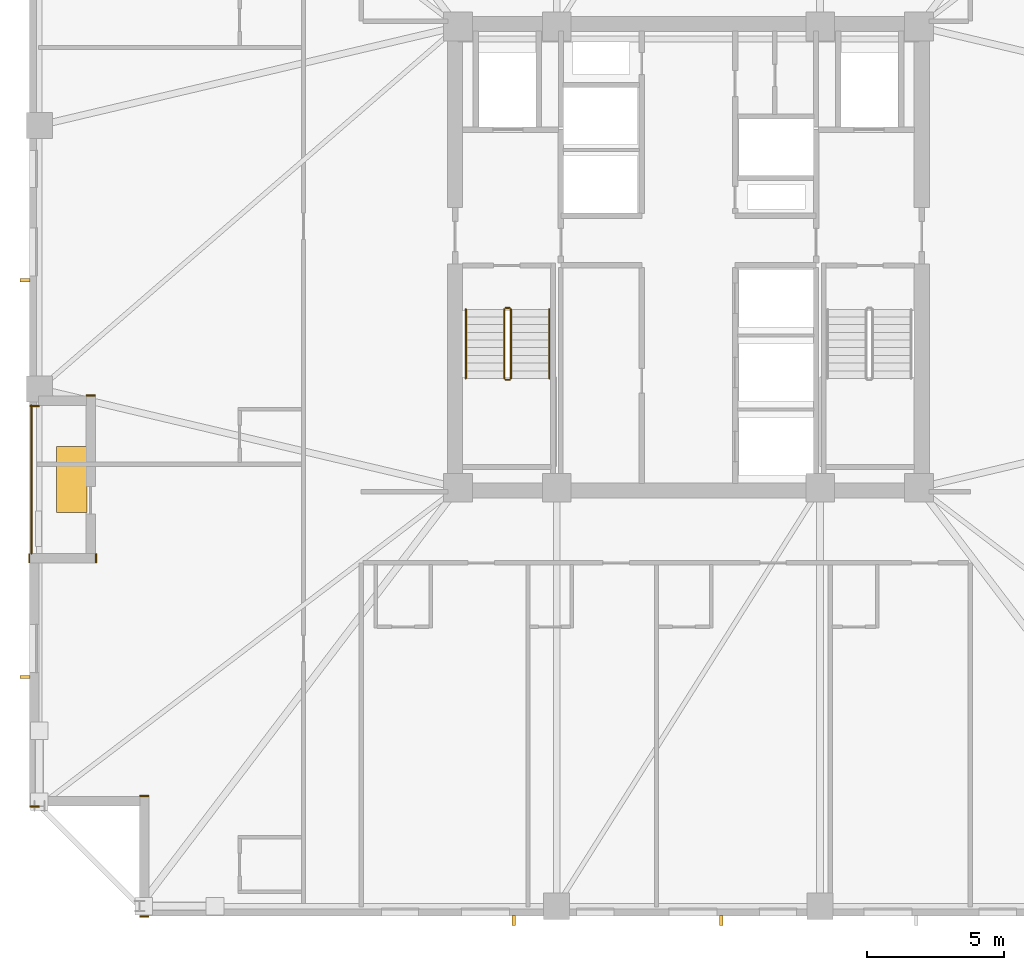
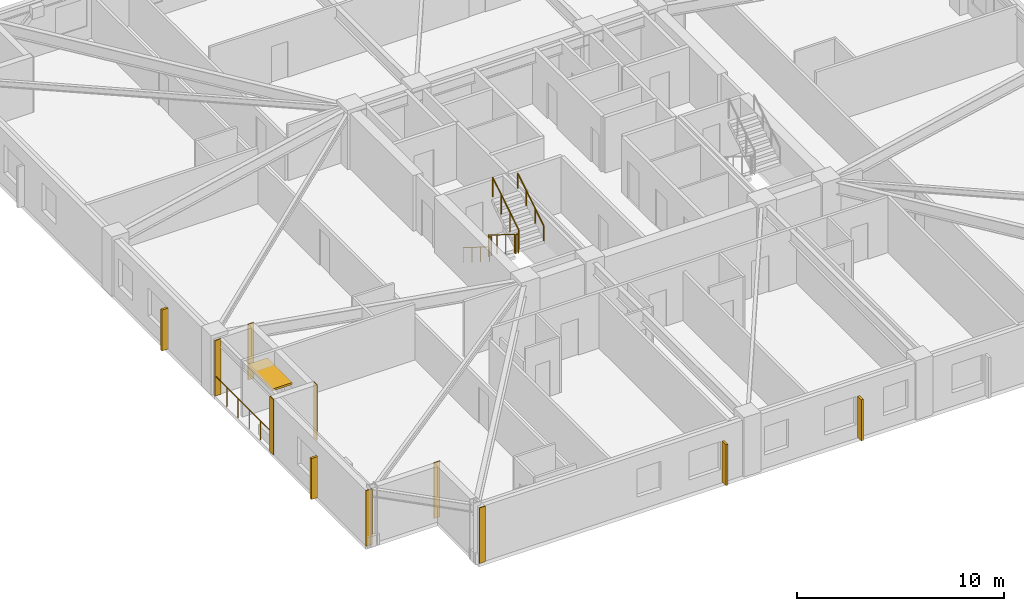
# One storey, part 7 of 10: 7 coverings, 7 railings, 5 shading devices.
"""IFC4 building model written with IfcOpenShell, lengths in metres."""

from ifc_helpers import new_model, si_unit, direction, frame, frame_2d, origin, origin_2d, place, context, subcontext, project, spatial, rectangle, circle, extrude, material, layer, layer_set, type_object, element, save


model = new_model("IFC4")

# Units and contexts
model_context = context("Model", 3, precision=1e-05, world=origin(), true_north=direction((0.0, 1.0)))
body_context = subcontext(model_context, "Body", "Model", "MODEL_VIEW")
ifc_project = project(units=[si_unit("LENGTHUNIT", "METRE"), si_unit("AREAUNIT", "SQUARE_METRE"), si_unit("VOLUMEUNIT", "CUBIC_METRE"), si_unit("PLANEANGLEUNIT", "RADIAN"), si_unit("MASSUNIT", "GRAM", prefix="KILO")], contexts=[model_context])

# Site, building, storey
site_placement = place(None, origin())
site = spatial("IfcSite", under=ifc_project, at=site_placement, CompositionType="ELEMENT")
building_placement = place(site_placement, origin())
building = spatial("IfcBuilding", under=site, at=building_placement, Name="Cairnveth Concourse Tower", CompositionType="ELEMENT")
storey_placement = place(building_placement, frame((0.0, 0.0, 137.5)))
storey = spatial("IfcBuildingStorey", under=building, at=storey_placement, Name="L37", CompositionType="ELEMENT", Elevation=137.5)

# Coverings
ifc_material_1 = material(Name="Dressed Melbourne Bluestone Cladding", Category="masonry")
ifc_layer = layer(ifc_material_1, 0.050048828125)
ifc_layer_set = layer_set([ifc_layer], Name="Dressed Melbourne Bluestone Cladding")
covering_type = type_object("IfcCoveringType", Name="DRESSED BLUESTONE PLINTH CLADDING 50", PredefinedType="CLADDING", material=ifc_layer_set)
for number, where, z_axis, x_axis, name in (
    (1, (28.340087890625, 33.580078125, 0.0), (0.0, 0.0, 1.0), (-1.0, 0.0, 0.0), "Melbourne Bluestone Corner Quoin L37-531"),
    (2, (32.340087890625, 14.97998046875, 0.0), (0.0, 0.0, 1.0), (-1.0, 0.0, 0.0), "Melbourne Bluestone Corner Quoin L37-541"),
    (3, (32.340087890625, 19.360107421875, 0.0), (0.0, 0.0, 1.0), (-1.0, 0.0, 0.0), "Melbourne Bluestone Corner Quoin L37-542"),
    (4, (28.340087890625, 18.97998046875, 0.0), (0.0, 0.0, 1.0), (-1.0, 0.0, 0.0), "Melbourne Bluestone Corner Quoin L37-543"),
):
    element("IfcCovering", number, at=place(storey_placement, frame(where, z_axis=z_axis, x_axis=x_axis)), inside=storey, type_object=covering_type, Name=name, PredefinedType="CLADDING", context=body_context, shape_type="SweptSolid", body=[
        extrude(rectangle(XDim=0.340087890625, YDim=0.050048828125, at=frame_2d((0.169921875, 0.0))), origin(), (0.0, 0.0, 1.0), 3.280029296875),
    ])
for number, where, z_axis, x_axis, name in (
    (5, (27.97998046875, 27.860107421875, 0.0), (0.0, 0.0, 1.0), (0.0, 1.0, 0.0), "Melbourne Bluestone Corner Quoin L37-544"),
    (6, (30.409912109375, 27.860107421875, 0.0), (0.0, 0.0, 1.0), (0.0, 1.0, 0.0), "Melbourne Bluestone Corner Quoin L37-545"),
    (7, (30.389892578125, 33.9599609375, 0.0), (0.0, 0.0, 1.0), (-1.0, 0.0, 0.0), "Melbourne Bluestone Corner Quoin L37-546"),
):
    element("IfcCovering", number, at=place(storey_placement, frame(where, z_axis=z_axis, x_axis=x_axis)), inside=storey, type_object=covering_type, Name=name, PredefinedType="CLADDING", context=body_context, shape_type="SweptSolid", body=[
        extrude(rectangle(XDim=0.33984375, YDim=0.050048828125, at=frame_2d((0.169921875, 0.0))), origin(), (0.0, 0.0, 1.0), 3.280029296875),
    ])

# Shading devices
ifc_material_2 = material(Name="Architectural Bronze Anodised Aluminium 6063-T6", Category="aluminium")
shading_device_type_1 = type_object("IfcShadingDeviceType", Name="GOTHIC BRONZE VERTICAL LANCET FIN", PredefinedType="USERDEFINED", material=ifc_material_2)
for number, where, z_axis, x_axis, name in (
    (8, (27.824951171875, 38.1533203125, 0.030029296875), (0.0, 0.0, 1.0), (0.0, 1.0, 0.0), "Gothic Bronze Vertical Fin L37-0-1"),
    (9, (53.194091796875, 14.824951171875, 0.030029296875), (0.0, 0.0, 1.0), (1.0, 0.0, 0.0), "Gothic Bronze Vertical Fin L37-9-5"),
    (10, (45.636962890625, 14.824951171875, 0.030029296875), (0.0, 0.0, 1.0), (1.0, 0.0, 0.0), "Gothic Bronze Vertical Fin L37-9-7"),
    (11, (27.824951171875, 23.7060546875, 0.030029296875), (0.0, 0.0, 1.0), (0.0, 1.0, 0.0), "Gothic Bronze Vertical Fin L37-12-1"),
):
    element("IfcShadingDevice", number, at=place(storey_placement, frame(where, z_axis=z_axis, x_axis=x_axis)), inside=storey, type_object=shading_device_type_1, Name=name, ObjectType="VERTICAL FIN", PredefinedType="USERDEFINED", context=body_context, shape_type="SweptSolid", body=[
        extrude(rectangle(XDim=0.1201171875, YDim=0.360107421875, at=origin_2d()), origin(), (0.0, 0.0, 1.0), 2.419921875),
    ])
shading_device_type_2 = type_object("IfcShadingDeviceType", Name="SPIRAL TERRACE SUNSHADE CANOPY", PredefinedType="USERDEFINED", material=ifc_material_2)
shading_device_placement = place(storey_placement, frame((29.530029296875, 30.89990234375, 2.300048828125), z_axis=(0.0, 0.0, 1.0), x_axis=(1.0, 0.0, 0.0)))
element("IfcShadingDevice", 12, at=shading_device_placement, inside=storey, type_object=shading_device_type_2, Name="Spiral Terrace Sunshade L37", ObjectType="TERRACE SUNSHADE", PredefinedType="USERDEFINED", context=body_context, shape_type="SweptSolid", body=[
    extrude(rectangle(XDim=1.10009765625, YDim=2.39990234375, at=origin_2d()), origin(), (0.0, 0.0, 1.0), 0.1201171875),
])

# Railings
ifc_material_3 = material(Name="Steel Grade 350", Category="steel")
railing_type_1 = type_object("IfcRailingType", Name="STAIR GUARDRAIL 1150", PredefinedType="GUARDRAIL", material=ifc_material_3)
railing_1_placement = place(storey_placement, frame((45.2900390625, 37.10009765625, 0.175048828125)))
element("IfcRailing", 13, at=railing_1_placement, inside=storey, type_object=railing_type_1, Name="L37 ST-1 stair guard 1", PredefinedType="GUARDRAIL", context=body_context, shape_type="SweptSolid", body=[
    extrude(circle(Radius=0.02392578125, at=origin_2d()), frame((0.0, 0.0, 1.1259765625), z_axis=(0.0, -0.848007534815, 0.529984170421), x_axis=(1.0, 0.0, 0.0)), (0.0, 0.0, 1.0), 2.9716796875),
    extrude(circle(Radius=0.02099609375, at=origin_2d()), origin(), (0.0, 0.0, 1.0), 1.101806640625),
    extrude(circle(Radius=0.02099609375, at=origin_2d()), frame((0.0, -0.840087890625, 0.52490234375)), (0.0, 0.0, 1.0), 1.101806640625),
    extrude(circle(Radius=0.02099609375, at=origin_2d()), frame((0.0, -1.679931640625, 1.050048828125)), (0.0, 0.0, 1.0), 1.101806640625),
    extrude(circle(Radius=0.02099609375, at=origin_2d()), frame((0.0, -2.52001953125, 1.574951171875)), (0.0, 0.0, 1.0), 1.101806640625),
])
railing_2_placement = place(storey_placement, frame((45.340087890625, 34.530029296875, 1.75)))
element("IfcRailing", 14, at=railing_2_placement, inside=storey, type_object=railing_type_1, Name="L37 ST-1 stair guard 2", PredefinedType="GUARDRAIL", context=body_context, shape_type="SweptSolid", body=[
    extrude(circle(Radius=0.02392578125, at=origin_2d()), frame((0.0, 0.0, 1.1259765625), z_axis=(1.0, 0.0, 0.0), x_axis=(0.0, 1.0, 0.0)), (0.0, 0.0, 1.0), 0.139892578125),
    extrude(circle(Radius=0.02099609375, at=origin_2d()), origin(), (0.0, 0.0, 1.0), 1.101806640625),
    extrude(circle(Radius=0.02099609375, at=origin_2d()), frame((0.139892578125, 0.0, 0.0)), (0.0, 0.0, 1.0), 1.101806640625),
])
railing_3_placement = place(storey_placement, frame((45.530029296875, 34.580078125, 1.925048828125)))
element("IfcRailing", 15, at=railing_3_placement, inside=storey, type_object=railing_type_1, Name="L37 ST-1 stair guard 3", PredefinedType="GUARDRAIL", context=body_context, shape_type="SweptSolid", body=[
    extrude(circle(Radius=0.02392578125, at=origin_2d()), frame((0.0, 0.0, 1.1259765625), z_axis=(0.0, 0.848007534815, 0.529984170421), x_axis=(-1.0, 0.0, 0.0)), (0.0, 0.0, 1.0), 2.9716796875),
    extrude(circle(Radius=0.02099609375, at=origin_2d()), origin(), (0.0, 0.0, 1.0), 1.101806640625),
    extrude(circle(Radius=0.02099609375, at=origin_2d()), frame((0.0, 0.840087890625, 0.52490234375)), (0.0, 0.0, 1.0), 1.101806640625),
    extrude(circle(Radius=0.02099609375, at=origin_2d()), frame((0.0, 1.679931640625, 1.050048828125)), (0.0, 0.0, 1.0), 1.101806640625),
    extrude(circle(Radius=0.02099609375, at=origin_2d()), frame((0.0, 2.52001953125, 1.574951171875)), (0.0, 0.0, 1.0), 1.101806640625),
])
railing_4_placement = place(storey_placement, frame((45.340087890625, 37.14990234375, 0.0)))
element("IfcRailing", 16, at=railing_4_placement, inside=storey, type_object=railing_type_1, Name="L37 ST-1 stair guard 4", PredefinedType="GUARDRAIL", context=body_context, shape_type="SweptSolid", body=[
    extrude(circle(Radius=0.02392578125, at=origin_2d()), frame((0.0, 0.0, 1.1259765625), z_axis=(1.0, 0.0, 0.0), x_axis=(0.0, 1.0, 0.0)), (0.0, 0.0, 1.0), 0.139892578125),
    extrude(circle(Radius=0.02099609375, at=origin_2d()), origin(), (0.0, 0.0, 1.0), 1.101806640625),
    extrude(circle(Radius=0.02099609375, at=origin_2d()), frame((0.139892578125, 0.0, 0.0)), (0.0, 0.0, 1.0), 1.101806640625),
])
railing_type_2 = type_object("IfcRailingType", Name="STAIR WALL HANDRAIL 900", PredefinedType="HANDRAIL", material=ifc_material_3)
railing_5_placement = place(storey_placement, frame((43.889892578125, 37.10009765625, 0.175048828125)))
element("IfcRailing", 17, at=railing_5_placement, inside=storey, type_object=railing_type_2, Name="L37 ST-1 stair handrail 1", PredefinedType="HANDRAIL", context=body_context, shape_type="SweptSolid", body=[
    extrude(circle(Radius=0.02392578125, at=origin_2d()), frame((0.0, 0.0, 0.8759765625), z_axis=(0.0, -0.848007534815, 0.529984170421), x_axis=(1.0, 0.0, 0.0)), (0.0, 0.0, 1.0), 2.9716796875),
    extrude(circle(Radius=0.02099609375, at=origin_2d()), origin(), (0.0, 0.0, 1.0), 0.851806640625),
    extrude(circle(Radius=0.02099609375, at=origin_2d()), frame((0.0, -0.840087890625, 0.52490234375)), (0.0, 0.0, 1.0), 0.851806640625),
    extrude(circle(Radius=0.02099609375, at=origin_2d()), frame((0.0, -1.679931640625, 1.050048828125)), (0.0, 0.0, 1.0), 0.851806640625),
    extrude(circle(Radius=0.02099609375, at=origin_2d()), frame((0.0, -2.52001953125, 1.574951171875)), (0.0, 0.0, 1.0), 0.851806640625),
])
railing_6_placement = place(storey_placement, frame((46.929931640625, 34.580078125, 1.925048828125)))
element("IfcRailing", 18, at=railing_6_placement, inside=storey, type_object=railing_type_2, Name="L37 ST-1 stair handrail 2", PredefinedType="HANDRAIL", context=body_context, shape_type="SweptSolid", body=[
    extrude(circle(Radius=0.02392578125, at=origin_2d()), frame((0.0, 0.0, 0.8759765625), z_axis=(0.0, 0.848007534815, 0.529984170421), x_axis=(-1.0, 0.0, 0.0)), (0.0, 0.0, 1.0), 2.9716796875),
    extrude(circle(Radius=0.02099609375, at=origin_2d()), origin(), (0.0, 0.0, 1.0), 0.851806640625),
    extrude(circle(Radius=0.02099609375, at=origin_2d()), frame((0.0, 0.840087890625, 0.52490234375)), (0.0, 0.0, 1.0), 0.851806640625),
    extrude(circle(Radius=0.02099609375, at=origin_2d()), frame((0.0, 1.679931640625, 1.050048828125)), (0.0, 0.0, 1.0), 0.851806640625),
    extrude(circle(Radius=0.02099609375, at=origin_2d()), frame((0.0, 2.52001953125, 1.574951171875)), (0.0, 0.0, 1.0), 0.851806640625),
])
railing_type_3 = type_object("IfcRailingType", Name="TERRACE BRONZE BALUSTRADE 1150", PredefinedType="BALUSTRADE", material=ifc_material_2)
railing_7_placement = place(storey_placement, frame((28.06005859375, 28.199951171875, 0.0)))
element("IfcRailing", 19, at=railing_7_placement, inside=storey, type_object=railing_type_3, Name="Terrace Balustrade RL-L37-TERR", PredefinedType="BALUSTRADE", context=body_context, shape_type="SweptSolid", body=[
    extrude(circle(Radius=0.02490234375, at=origin_2d()), frame((0.0, 0.0, 1.125), z_axis=(0.0, 1.0, 0.0), x_axis=(-1.0, 0.0, 0.0)), (0.0, 0.0, 1.0), 5.400146484375),
    extrude(circle(Radius=0.02099609375, at=origin_2d()), origin(), (0.0, 0.0, 1.0), 1.099853515625),
    extrude(circle(Radius=0.02099609375, at=origin_2d()), frame((0.0, 1.080078125, 0.0)), (0.0, 0.0, 1.0), 1.099853515625),
    extrude(circle(Radius=0.02099609375, at=origin_2d()), frame((0.0, 2.16015625, 0.0)), (0.0, 0.0, 1.0), 1.099853515625),
    extrude(circle(Radius=0.02099609375, at=origin_2d()), frame((0.0, 3.239990234375, 0.0)), (0.0, 0.0, 1.0), 1.099853515625),
    extrude(circle(Radius=0.02099609375, at=origin_2d()), frame((0.0, 4.320068359375, 0.0)), (0.0, 0.0, 1.0), 1.099853515625),
    extrude(circle(Radius=0.02099609375, at=origin_2d()), frame((0.0, 5.400146484375, 0.0)), (0.0, 0.0, 1.0), 1.099853515625),
])

save(model, "model.ifc")
